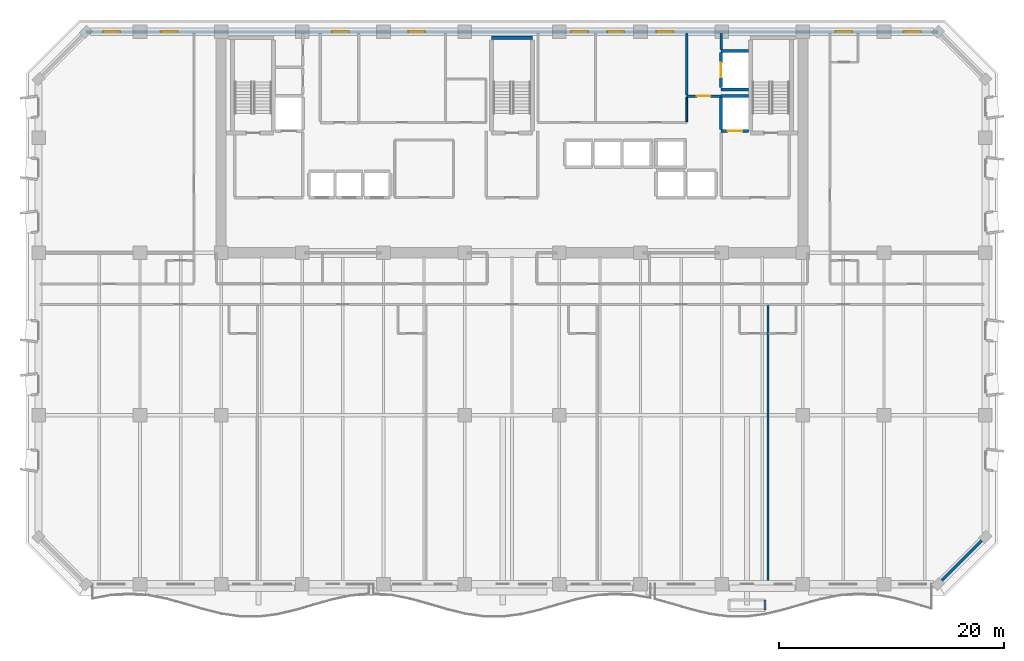
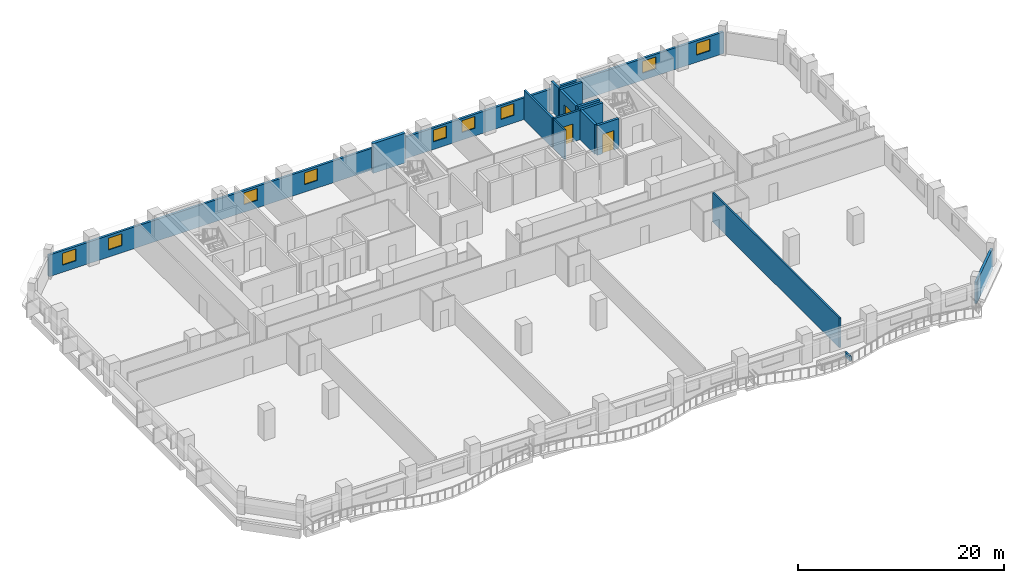
# One storey, part 8 of 14: 15 walls, 9 windows, 3 doors, 12 openings.
"""IFC4 building model written with IfcOpenShell, lengths in metres."""

from ifc_helpers import new_model, si_unit, direction, frame, frame_2d, origin, place, context, subcontext, project, spatial, rectangle, extrude, material, layer, layer_set, type_object, element, fill, save


model = new_model("IFC4")

# Units and contexts
model_context = context("Model", 3, precision=1e-05, world=origin(), true_north=direction((0.0, 1.0)))
body_context = subcontext(model_context, "Body", "Model", "MODEL_VIEW")
ifc_project = project(units=[si_unit("LENGTHUNIT", "METRE"), si_unit("AREAUNIT", "SQUARE_METRE"), si_unit("VOLUMEUNIT", "CUBIC_METRE"), si_unit("PLANEANGLEUNIT", "RADIAN"), si_unit("MASSUNIT", "GRAM", prefix="KILO")], contexts=[model_context])

# Site, building, storey
site_placement = place(None, origin())
site = spatial("IfcSite", under=ifc_project, at=site_placement, CompositionType="ELEMENT")
building_placement = place(site_placement, origin())
building = spatial("IfcBuilding", under=site, at=building_placement, Name="Kaelvorn Grand Hotel", CompositionType="ELEMENT")
storey_placement = place(building_placement, frame((0.0, 0.0, 123.050048828125)))
storey = spatial("IfcBuildingStorey", under=building, at=storey_placement, Name="L29", CompositionType="ELEMENT", Elevation=123.050048828125)

# Wall
ifc_material_1 = material(Name="Concrete C40/50", Category="concrete")
ifc_layer_1 = layer(ifc_material_1, 0.260009765625)
ifc_layer_set_1 = layer_set([ifc_layer_1], Name="Concrete C40/50")
wall_type_1 = type_object("IfcWallType", Name="WL-EXT-260-C40", PredefinedType="SOLIDWALL", material=ifc_layer_set_1)
wall_1_placement = place(storey_placement, frame((79.800048828125, 0.0, 0.0), z_axis=(0.0, 0.0, 1.0), x_axis=(0.707106781187, 0.707106781187, 0.0)))
element("IfcWall", 1, at=wall_1_placement, inside=storey, type_object=wall_type_1, Name="L29 Exterior Architectural Concrete Wall 02", PredefinedType="SOLIDWALL", context=body_context, shape_type="SweptSolid", body=[
    extrude(rectangle(XDim=5.939697265625, YDim=0.260009765625, at=frame_2d((2.9697265625, 0.0))), origin(), (0.0, 0.0, 1.0), 2.56005859375),
])

# Wall, openings, windows
wall_2_placement = place(storey_placement, frame((79.800048828125, 49.0, 0.0), z_axis=(0.0, 0.0, 1.0), x_axis=(-1.0, 0.0, 0.0)))
wall_2 = element("IfcWall", 2, at=wall_2_placement, inside=storey, type_object=wall_type_1, Name="L29 Exterior Architectural Concrete Wall 05", PredefinedType="SOLIDWALL", context=body_context, shape_type="SweptSolid", body=[
    extrude(rectangle(XDim=75.60009765625, YDim=0.260009765625, at=frame_2d((37.800048828125, 0.0))), origin(), (0.0, 0.0, 1.0), 2.56005859375),
])
opening_1_placement = place(wall_2_placement, frame((72.56494140625, 0.0, 0.85009765625)))
opening_1 = element("IfcOpeningElement", 3, at=opening_1_placement, cuts=wall_2, Name="Opening W10", PredefinedType="OPENING", context=body_context, shape_type="SweptSolid", body=[
    extrude(rectangle(XDim=1.5, YDim=1.39990234375, at=frame_2d((0.75, 0.699951171875))), frame((0.0, 0.14013671875, 0.0), z_axis=(0.0, -1.0, 0.0), x_axis=(1.0, 0.0, 0.0)), (0.0, 0.0, 1.0), 0.280029296875),
])
opening_2_placement = place(wall_2_placement, frame((67.449951171875, 0.0, 0.85009765625)))
opening_2 = element("IfcOpeningElement", 4, at=opening_2_placement, cuts=wall_2, Name="Opening W10", PredefinedType="OPENING", context=body_context, shape_type="SweptSolid", body=[
    extrude(rectangle(XDim=1.5, YDim=1.39990234375, at=frame_2d((0.75, 0.699951171875))), frame((0.0, 0.14013671875, 0.0), z_axis=(0.0, -1.0, 0.0), x_axis=(1.0, 0.0, 0.0)), (0.0, 0.0, 1.0), 0.280029296875),
])
opening_3_placement = place(wall_2_placement, frame((7.60009765625, 0.0, 0.85009765625)))
opening_3 = element("IfcOpeningElement", 5, at=opening_3_placement, cuts=wall_2, Name="Opening W10", PredefinedType="OPENING", context=body_context, shape_type="SweptSolid", body=[
    extrude(rectangle(XDim=1.5, YDim=1.39990234375, at=frame_2d((0.75, 0.699951171875))), frame((0.0, 0.14013671875, 0.0), z_axis=(0.0, -1.0, 0.0), x_axis=(1.0, 0.0, 0.0)), (0.0, 0.0, 1.0), 0.280029296875),
])
opening_4_placement = place(wall_2_placement, frame((1.534912109375, 0.0, 0.85009765625)))
opening_4 = element("IfcOpeningElement", 6, at=opening_4_placement, cuts=wall_2, Name="Opening W10", PredefinedType="OPENING", context=body_context, shape_type="SweptSolid", body=[
    extrude(rectangle(XDim=1.5, YDim=1.39990234375, at=frame_2d((0.75, 0.699951171875))), frame((0.0, 0.14013671875, 0.0), z_axis=(0.0, -1.0, 0.0), x_axis=(1.0, 0.0, 0.0)), (0.0, 0.0, 1.0), 0.280029296875),
])
opening_5_placement = place(wall_2_placement, frame((52.264892578125, 0.0, 0.89990234375)))
opening_5 = element("IfcOpeningElement", 7, at=opening_5_placement, cuts=wall_2, Name="Opening W10", PredefinedType="OPENING", context=body_context, shape_type="SweptSolid", body=[
    extrude(rectangle(XDim=1.5, YDim=1.39990234375, at=frame_2d((0.75, 0.699951171875))), frame((0.0, 0.14013671875, 0.0), z_axis=(0.0, -1.0, 0.0), x_axis=(1.0, 0.0, 0.0)), (0.0, 0.0, 1.0), 0.280029296875),
])
opening_6_placement = place(wall_2_placement, frame((45.5, 0.0, 0.89990234375)))
opening_6 = element("IfcOpeningElement", 8, at=opening_6_placement, cuts=wall_2, Name="Opening W10", PredefinedType="OPENING", context=body_context, shape_type="SweptSolid", body=[
    extrude(rectangle(XDim=1.5, YDim=1.39990234375, at=frame_2d((0.75, 0.699951171875))), frame((0.0, 0.14013671875, 0.0), z_axis=(0.0, -1.0, 0.0), x_axis=(1.0, 0.0, 0.0)), (0.0, 0.0, 1.0), 0.280029296875),
])
opening_7_placement = place(wall_2_placement, frame((31.050048828125, 0.0, 0.89990234375)))
opening_7 = element("IfcOpeningElement", 9, at=opening_7_placement, cuts=wall_2, Name="Opening W10", PredefinedType="OPENING", context=body_context, shape_type="SweptSolid", body=[
    extrude(rectangle(XDim=1.5, YDim=1.39990234375, at=frame_2d((0.75, 0.699951171875))), frame((0.0, 0.14013671875, 0.0), z_axis=(0.0, -1.0, 0.0), x_axis=(1.0, 0.0, 0.0)), (0.0, 0.0, 1.0), 0.280029296875),
])
opening_8_placement = place(wall_2_placement, frame((27.85009765625, 0.0, 0.89990234375)))
opening_8 = element("IfcOpeningElement", 10, at=opening_8_placement, cuts=wall_2, Name="Opening W10", PredefinedType="OPENING", context=body_context, shape_type="SweptSolid", body=[
    extrude(rectangle(XDim=1.5, YDim=1.39990234375, at=frame_2d((0.75, 0.699951171875))), frame((0.0, 0.14013671875, 0.0), z_axis=(0.0, -1.0, 0.0), x_axis=(1.0, 0.0, 0.0)), (0.0, 0.0, 1.0), 0.280029296875),
])
opening_9_placement = place(wall_2_placement, frame((23.485107421875, 0.0, 0.89990234375)))
opening_9 = element("IfcOpeningElement", 11, at=opening_9_placement, cuts=wall_2, Name="Opening W10", PredefinedType="OPENING", context=body_context, shape_type="SweptSolid", body=[
    extrude(rectangle(XDim=1.5, YDim=1.39990234375, at=frame_2d((0.75, 0.699951171875))), frame((0.0, 0.14013671875, 0.0), z_axis=(0.0, -1.0, 0.0), x_axis=(1.0, 0.0, 0.0)), (0.0, 0.0, 1.0), 0.280029296875),
])
ifc_material_2 = material(Name="Laminated Low-E Glass", Category="glass")
window_type = type_object("IfcWindowType", Name="WIN-COR-1500x1400", PartitioningType="SINGLE_PANEL", PredefinedType="WINDOW", material=ifc_material_2)
window_1_placement = place(opening_1_placement, origin())
window_1 = element("IfcWindow", 12, at=window_1_placement, inside=storey, type_object=window_type, Name="L29 North Wing Ribbon Window NW01", OverallHeight=1.39990234375, OverallWidth=1.5, PartitioningType="SINGLE_PANEL", PredefinedType="WINDOW", context=body_context, shape_type="SweptSolid", body=[
    extrude(rectangle(XDim=1.5, YDim=1.39990234375, at=frame_2d((0.75, 0.699951171875))), frame((0.0, 0.030029296875, 0.0), z_axis=(0.0, -1.0, 0.0), x_axis=(1.0, 0.0, 0.0)), (0.0, 0.0, 1.0), 0.06005859375),
])
fill(opening_1, window_1)
window_2_placement = place(opening_2_placement, origin())
window_2 = element("IfcWindow", 13, at=window_2_placement, inside=storey, type_object=window_type, Name="L29 North Wing Ribbon Window NW02", OverallHeight=1.39990234375, OverallWidth=1.5, PartitioningType="SINGLE_PANEL", PredefinedType="WINDOW", context=body_context, shape_type="SweptSolid", body=[
    extrude(rectangle(XDim=1.5, YDim=1.39990234375, at=frame_2d((0.75, 0.699951171875))), frame((0.0, 0.030029296875, 0.0), z_axis=(0.0, -1.0, 0.0), x_axis=(1.0, 0.0, 0.0)), (0.0, 0.0, 1.0), 0.06005859375),
])
fill(opening_2, window_2)
window_3_placement = place(opening_3_placement, origin())
window_3 = element("IfcWindow", 14, at=window_3_placement, inside=storey, type_object=window_type, Name="L29 North Wing Ribbon Window NW03", OverallHeight=1.39990234375, OverallWidth=1.5, PartitioningType="SINGLE_PANEL", PredefinedType="WINDOW", context=body_context, shape_type="SweptSolid", body=[
    extrude(rectangle(XDim=1.5, YDim=1.39990234375, at=frame_2d((0.75, 0.699951171875))), frame((0.0, 0.030029296875, 0.0), z_axis=(0.0, -1.0, 0.0), x_axis=(1.0, 0.0, 0.0)), (0.0, 0.0, 1.0), 0.06005859375),
])
fill(opening_3, window_3)
window_4_placement = place(opening_4_placement, origin())
window_4 = element("IfcWindow", 15, at=window_4_placement, inside=storey, type_object=window_type, Name="L29 North Wing Ribbon Window NW04", OverallHeight=1.39990234375, OverallWidth=1.5, PartitioningType="SINGLE_PANEL", PredefinedType="WINDOW", context=body_context, shape_type="SweptSolid", body=[
    extrude(rectangle(XDim=1.5, YDim=1.39990234375, at=frame_2d((0.75, 0.699951171875))), frame((0.0, 0.030029296875, 0.0), z_axis=(0.0, -1.0, 0.0), x_axis=(1.0, 0.0, 0.0)), (0.0, 0.0, 1.0), 0.06005859375),
])
fill(opening_4, window_4)
window_5_placement = place(opening_5_placement, origin())
window_5 = element("IfcWindow", 16, at=window_5_placement, inside=storey, type_object=window_type, Name="L29 North Core Clerestory Ribbon Window NC05", OverallHeight=1.39990234375, OverallWidth=1.5, PartitioningType="SINGLE_PANEL", PredefinedType="WINDOW", context=body_context, shape_type="SweptSolid", body=[
    extrude(rectangle(XDim=1.5, YDim=1.39990234375, at=frame_2d((0.75, 0.699951171875))), frame((0.0, 0.030029296875, 0.0), z_axis=(0.0, -1.0, 0.0), x_axis=(1.0, 0.0, 0.0)), (0.0, 0.0, 1.0), 0.06005859375),
])
fill(opening_5, window_5)
window_6_placement = place(opening_6_placement, origin())
window_6 = element("IfcWindow", 17, at=window_6_placement, inside=storey, type_object=window_type, Name="L29 North Core Clerestory Ribbon Window NC06", OverallHeight=1.39990234375, OverallWidth=1.5, PartitioningType="SINGLE_PANEL", PredefinedType="WINDOW", context=body_context, shape_type="SweptSolid", body=[
    extrude(rectangle(XDim=1.5, YDim=1.39990234375, at=frame_2d((0.75, 0.699951171875))), frame((0.0, 0.030029296875, 0.0), z_axis=(0.0, -1.0, 0.0), x_axis=(1.0, 0.0, 0.0)), (0.0, 0.0, 1.0), 0.06005859375),
])
fill(opening_6, window_6)
window_7_placement = place(opening_7_placement, origin())
window_7 = element("IfcWindow", 18, at=window_7_placement, inside=storey, type_object=window_type, Name="L29 North Core Clerestory Ribbon Window NC07", OverallHeight=1.39990234375, OverallWidth=1.5, PartitioningType="SINGLE_PANEL", PredefinedType="WINDOW", context=body_context, shape_type="SweptSolid", body=[
    extrude(rectangle(XDim=1.5, YDim=1.39990234375, at=frame_2d((0.75, 0.699951171875))), frame((0.0, 0.030029296875, 0.0), z_axis=(0.0, -1.0, 0.0), x_axis=(1.0, 0.0, 0.0)), (0.0, 0.0, 1.0), 0.06005859375),
])
fill(opening_7, window_7)
window_8_placement = place(opening_8_placement, origin())
window_8 = element("IfcWindow", 19, at=window_8_placement, inside=storey, type_object=window_type, Name="L29 North Core Clerestory Ribbon Window NC08", OverallHeight=1.39990234375, OverallWidth=1.5, PartitioningType="SINGLE_PANEL", PredefinedType="WINDOW", context=body_context, shape_type="SweptSolid", body=[
    extrude(rectangle(XDim=1.5, YDim=1.39990234375, at=frame_2d((0.75, 0.699951171875))), frame((0.0, 0.030029296875, 0.0), z_axis=(0.0, -1.0, 0.0), x_axis=(1.0, 0.0, 0.0)), (0.0, 0.0, 1.0), 0.06005859375),
])
fill(opening_8, window_8)
window_9_placement = place(opening_9_placement, origin())
window_9 = element("IfcWindow", 20, at=window_9_placement, inside=storey, type_object=window_type, Name="L29 North Core Clerestory Ribbon Window NC09", OverallHeight=1.39990234375, OverallWidth=1.5, PartitioningType="SINGLE_PANEL", PredefinedType="WINDOW", context=body_context, shape_type="SweptSolid", body=[
    extrude(rectangle(XDim=1.5, YDim=1.39990234375, at=frame_2d((0.75, 0.699951171875))), frame((0.0, 0.030029296875, 0.0), z_axis=(0.0, -1.0, 0.0), x_axis=(1.0, 0.0, 0.0)), (0.0, 0.0, 1.0), 0.06005859375),
])
fill(opening_9, window_9)

# Walls
ifc_material_3 = material(Name="Acoustic Gypsum & Stud Partition")
ifc_layer_2 = layer(ifc_material_3, 0.14990234375)
ifc_layer_set_2 = layer_set([ifc_layer_2], Name="Acoustic Gypsum & Stud Partition")
wall_type_2 = type_object("IfcWallType", Name="WL-PART-150-EI60", PredefinedType="PARTITIONING", material=ifc_layer_set_2)
wall_3_placement = place(storey_placement, frame((57.5, 41.030029296875, 0.0), z_axis=(0.0, 0.0, 1.0), x_axis=(0.0, 1.0, 0.0)))
element("IfcWall", 21, at=wall_3_placement, inside=storey, type_object=wall_type_2, Name="L29 Butler Servery Pantry E Partition", PredefinedType="PARTITIONING", context=body_context, shape_type="SweptSolid", body=[
    extrude(rectangle(XDim=2.155029296875, YDim=0.14990234375, at=frame_2d((1.07763671875, 0.0))), origin(), (0.0, 0.0, 1.0), 3.510009765625),
])
ifc_layer_3 = layer(ifc_material_3, 0.179931640625)
ifc_layer_set_3 = layer_set([ifc_layer_3], Name="Acoustic Gypsum & Stud Partition")
wall_type_3 = type_object("IfcWallType", Name="WL-PART-180-EI60", PredefinedType="PARTITIONING", material=ifc_layer_set_3)
wall_4_placement = place(storey_placement, frame((64.690673828125, 0.14990234375, 0.0), z_axis=(0.0, 0.0, 1.0), x_axis=(0.0, 1.0, 0.0)))
element("IfcWall", 22, at=wall_4_placement, inside=storey, type_object=wall_type_3, Name="L29 Presidential Sky Suite L29-04 E Partition", PredefinedType="PARTITIONING", context=body_context, shape_type="SweptSolid", body=[
    extrude(rectangle(XDim=24.55517578125, YDim=0.179931640625, at=frame_2d((12.277587890625, 0.0))), origin(), (0.0, 0.0, 1.0), 3.510009765625),
])

# Wall, opening, door
ifc_layer_4 = layer(ifc_material_1, 0.219970703125)
ifc_layer_set_4 = layer_set([ifc_layer_4], Name="Concrete C40/50")
wall_type_4 = type_object("IfcWallType", Name="WL-PART-220-EI120", PredefinedType="PARTITIONING", material=ifc_layer_set_4)
wall_5_placement = place(storey_placement, frame((57.5, 43.300048828125, 0.0), z_axis=(0.0, 0.0, 1.0), x_axis=(1.0, 0.0, 0.0)))
wall_5 = element("IfcWall", 23, at=wall_5_placement, inside=storey, type_object=wall_type_4, Name="L29 Service Lift Lobby S Partition", PredefinedType="PARTITIONING", context=body_context, shape_type="SweptSolid", body=[
    extrude(rectangle(XDim=3.0400390625, YDim=0.219970703125, at=frame_2d((1.52001953125, 0.0))), origin(), (0.0, 0.0, 1.0), 3.510009765625),
])
opening_10_placement = place(wall_5_placement, frame((0.89990234375, 0.0, 0.0)))
opening_10 = element("IfcOpeningElement", 24, at=opening_10_placement, cuts=wall_5, Name="Opening DI2", PredefinedType="OPENING", context=body_context, shape_type="SweptSolid", body=[
    extrude(rectangle(XDim=1.199951171875, YDim=2.14990234375, at=frame_2d((0.60009765625, 1.074951171875))), frame((0.0, 0.1201171875, 0.0), z_axis=(0.0, -1.0, 0.0), x_axis=(1.0, 0.0, 0.0)), (0.0, 0.0, 1.0), 0.239990234375),
])
ifc_material_4 = material(Name="Timber Veneer Fire Leaf", Category="wood")
door_type_1 = type_object("IfcDoorType", Name="DR-INT-FFLOB-1200x2150", OperationType="NOTDEFINED", PredefinedType="DOOR", material=ifc_material_4)
door_1_placement = place(opening_10_placement, origin())
door_1 = element("IfcDoor", 25, at=door_1_placement, inside=storey, type_object=door_type_1, Name="L29 Service Lift Lobby Door", OperationType="SINGLE_SWING_LEFT", OverallHeight=2.14990234375, OverallWidth=1.199951171875, PredefinedType="DOOR", context=body_context, shape_type="SweptSolid", body=[
    extrude(rectangle(XDim=1.199951171875, YDim=2.14990234375, at=frame_2d((0.60009765625, 1.074951171875))), frame((0.0, 0.02490234375, 0.0), z_axis=(0.0, -1.0, 0.0), x_axis=(1.0, 0.0, 0.0)), (0.0, 0.0, 1.0), 0.050048828125),
])
fill(opening_10, door_1)

# Walls
wall_6_placement = place(storey_placement, frame((57.5, 43.4150390625, 0.0), z_axis=(0.0, 0.0, 1.0), x_axis=(0.0, 1.0, 0.0)))
element("IfcWall", 26, at=wall_6_placement, inside=storey, type_object=wall_type_4, Name="L29 Service Lift Lobby W Partition", PredefinedType="PARTITIONING", context=body_context, shape_type="SweptSolid", body=[
    extrude(rectangle(XDim=5.43505859375, YDim=0.219970703125, at=frame_2d((2.717529296875, 0.0))), origin(), (0.0, 0.0, 1.0), 3.510009765625),
])
wall_7_placement = place(storey_placement, frame((60.550048828125, 47.445068359375, 0.0), z_axis=(0.0, 0.0, 1.0), x_axis=(0.0, 1.0, 0.0)))
element("IfcWall", 27, at=wall_7_placement, inside=storey, type_object=wall_type_4, Name="L29 Service Lift Lobby E Partition", PredefinedType="PARTITIONING", context=body_context, shape_type="SweptSolid", body=[
    extrude(rectangle(XDim=1.405029296875, YDim=0.219970703125, at=frame_2d((0.70263671875, 0.0))), origin(), (0.0, 0.0, 1.0), 3.510009765625),
])

# Wall, opening, door
ifc_material_5 = material(Name="Concrete C50/60", Category="concrete")
ifc_layer_5 = layer(ifc_material_5, 0.280029296875)
ifc_layer_set_5 = layer_set([ifc_layer_5], Name="Concrete C50/60")
wall_type_5 = type_object("IfcWallType", Name="WL-SHAFT-280-C50", PredefinedType="SHEAR", material=ifc_layer_set_5)
wall_8_placement = place(storey_placement, frame((60.550048828125, 40.199951171875, 0.0), z_axis=(0.0, 0.0, 1.0), x_axis=(1.0, 0.0, 0.0)))
wall_8 = element("IfcWall", 28, at=wall_8_placement, inside=storey, type_object=wall_type_5, Name="L29 Lift FFL2 Shaft South Wall", PredefinedType="SHEAR", context=body_context, shape_type="SweptSolid", body=[
    extrude(rectangle(XDim=2.4150390625, YDim=0.280029296875, at=frame_2d((1.20751953125, 0.0))), origin(), (0.0, 0.0, 1.0), 3.510009765625),
])
opening_11_placement = place(wall_8_placement, frame((0.574951171875, 0.0, 0.0)))
opening_11 = element("IfcOpeningElement", 29, at=opening_11_placement, cuts=wall_8, Name="Opening LD-FFL2", PredefinedType="OPENING", context=body_context, shape_type="SweptSolid", body=[
    extrude(rectangle(XDim=1.300048828125, YDim=2.300048828125, at=frame_2d((0.64990234375, 1.14990234375))), frame((0.0, 0.14990234375, 0.0), z_axis=(0.0, -1.0, 0.0), x_axis=(1.0, 0.0, 0.0)), (0.0, 0.0, 1.0), 0.300048828125),
])
ifc_material_6 = material(Name="Stainless Steel", Category="steel")
door_type_2 = type_object("IfcDoorType", Name="DR-LIFT-SERV-1300x2300", OperationType="DOUBLE_DOOR_SLIDING", PredefinedType="DOOR", material=ifc_material_6)
door_2_placement = place(opening_11_placement, origin())
door_2 = element("IfcDoor", 30, at=door_2_placement, inside=storey, type_object=door_type_2, Name="L29 Lift FFL2 Sliding Landing Door LD-FFL2", OperationType="DOUBLE_DOOR_SLIDING", OverallHeight=2.300048828125, OverallWidth=1.300048828125, PredefinedType="DOOR", context=body_context, shape_type="SweptSolid", body=[
    extrude(rectangle(XDim=1.300048828125, YDim=2.300048828125, at=frame_2d((0.64990234375, 1.14990234375))), frame((0.0, 0.02490234375, 0.0), z_axis=(0.0, -1.0, 0.0), x_axis=(1.0, 0.0, 0.0)), (0.0, 0.0, 1.0), 0.050048828125),
])
fill(opening_11, door_2)

# Walls
wall_9_placement = place(storey_placement, frame((60.550048828125, 43.300048828125, 0.0), z_axis=(0.0, 0.0, 1.0), x_axis=(1.0, 0.0, 0.0)))
element("IfcWall", 31, at=wall_9_placement, inside=storey, type_object=wall_type_5, Name="L29 Lift FFL2 Shaft North Wall", PredefinedType="SHEAR", context=body_context, shape_type="SweptSolid", body=[
    extrude(rectangle(XDim=2.4150390625, YDim=0.280029296875, at=frame_2d((1.20751953125, 0.0))), origin(), (0.0, 0.0, 1.0), 3.510009765625),
])
wall_10_placement = place(storey_placement, frame((60.550048828125, 40.344970703125, 0.0), z_axis=(0.0, 0.0, 1.0), x_axis=(0.0, 1.0, 0.0)))
element("IfcWall", 32, at=wall_10_placement, inside=storey, type_object=wall_type_5, Name="L29 Lift FFL2 Shaft West Wall", PredefinedType="SHEAR", context=body_context, shape_type="SweptSolid", body=[
    extrude(rectangle(XDim=2.81005859375, YDim=0.280029296875, at=frame_2d((1.405029296875, 0.0))), origin(), (0.0, 0.0, 1.0), 3.510009765625),
])
for number, where, z_axis, x_axis, name in (
    (33, (60.550048828125, 43.89990234375, 0.0), (0.0, 0.0, 1.0), (1.0, 0.0, 0.0), "L29 Lift SV1 Shaft South Wall"),
    (34, (60.550048828125, 47.300048828125, 0.0), (0.0, 0.0, 1.0), (1.0, 0.0, 0.0), "L29 Lift SV1 Shaft North Wall"),
):
    element("IfcWall", number, at=place(storey_placement, frame(where, z_axis=z_axis, x_axis=x_axis)), inside=storey, type_object=wall_type_5, Name=name, PredefinedType="SHEAR", context=body_context, shape_type="SweptSolid", body=[
        extrude(rectangle(XDim=2.4150390625, YDim=0.280029296875, at=frame_2d((1.20751953125, 0.0))), origin(), (0.0, 0.0, 1.0), 3.510009765625),
    ])

# Wall, opening, door
wall_11_placement = place(storey_placement, frame((60.550048828125, 44.044921875, 0.0), z_axis=(0.0, 0.0, 1.0), x_axis=(0.0, 1.0, 0.0)))
wall_11 = element("IfcWall", 35, at=wall_11_placement, inside=storey, type_object=wall_type_5, Name="L29 Lift SV1 Shaft West Wall", PredefinedType="SHEAR", context=body_context, shape_type="SweptSolid", body=[
    extrude(rectangle(XDim=3.110107421875, YDim=0.280029296875, at=frame_2d((1.55517578125, 0.0))), origin(), (0.0, 0.0, 1.0), 3.510009765625),
])
opening_12_placement = place(wall_11_placement, frame((0.905029296875, 0.0, 0.0)))
opening_12 = element("IfcOpeningElement", 36, at=opening_12_placement, cuts=wall_11, Name="Opening LD-SV1", PredefinedType="OPENING", context=body_context, shape_type="SweptSolid", body=[
    extrude(rectangle(XDim=1.300048828125, YDim=2.300048828125, at=frame_2d((0.64990234375, 1.14990234375))), frame((0.0, 0.14990234375, 0.0), z_axis=(0.0, -1.0, 0.0), x_axis=(1.0, 0.0, 0.0)), (0.0, 0.0, 1.0), 0.300048828125),
])
door_3_placement = place(opening_12_placement, origin())
door_3 = element("IfcDoor", 37, at=door_3_placement, inside=storey, type_object=door_type_2, Name="L29 Lift SV1 Sliding Landing Door LD-SV1", OperationType="DOUBLE_DOOR_SLIDING", OverallHeight=2.300048828125, OverallWidth=1.300048828125, PredefinedType="DOOR", context=body_context, shape_type="SweptSolid", body=[
    extrude(rectangle(XDim=1.300048828125, YDim=2.300048828125, at=frame_2d((0.64990234375, 1.14990234375))), frame((0.0, 0.02490234375, 0.0), z_axis=(0.0, -1.0, 0.0), x_axis=(1.0, 0.0, 0.0)), (0.0, 0.0, 1.0), 0.050048828125),
])
fill(opening_12, door_3)

# Walls
ifc_material_7 = material(Name="Concrete C60/75", Category="concrete")
ifc_layer_6 = layer(ifc_material_7, 0.35009765625)
ifc_layer_set_6 = layer_set([ifc_layer_6], Name="Concrete C60/75")
wall_type_6 = type_object("IfcWallType", Name="WL-SHAFT-350-C60", PredefinedType="SHEAR", material=ifc_layer_set_6)
wall_12_placement = place(storey_placement, frame((40.18505859375, 48.47509765625, 0.0), z_axis=(0.0, 0.0, 1.0), x_axis=(1.0, 0.0, 0.0)))
element("IfcWall", 38, at=wall_12_placement, inside=storey, type_object=wall_type_6, Name="L29 ST2 Stair Shaft North Wall", PredefinedType="SHEAR", context=body_context, shape_type="SweptSolid", body=[
    extrude(rectangle(XDim=3.6298828125, YDim=0.35009765625, at=frame_2d((1.81494140625, 0.0))), origin(), (0.0, 0.0, 1.0), 3.510009765625),
])
ifc_layer_7 = layer(ifc_material_1, 0.199951171875)
ifc_layer_set_7 = layer_set([ifc_layer_7], Name="Concrete C40/50")
wall_type_7 = type_object("IfcWallType", Name="WL-TREE-PLANTER-200", PredefinedType="PARAPET", material=ifc_layer_set_7)
wall_13_placement = place(storey_placement, frame((64.4443359375, -2.300048828125, 0.0), z_axis=(0.0, 0.0, 1.0), x_axis=(0.0, 1.0, 0.0)))
element("IfcWall", 39, at=wall_13_placement, inside=storey, type_object=wall_type_7, Name="L29 Planted Balcony Structural TREE PLANTER Kerb 1-E", PredefinedType="PARAPET", context=body_context, shape_type="SweptSolid", body=[
    extrude(rectangle(XDim=0.900146484375, YDim=0.199951171875, at=frame_2d((0.4501953125, 0.0))), origin(), (0.0, 0.0, 1.0), 0.550048828125),
])

save(model, "model.ifc")
